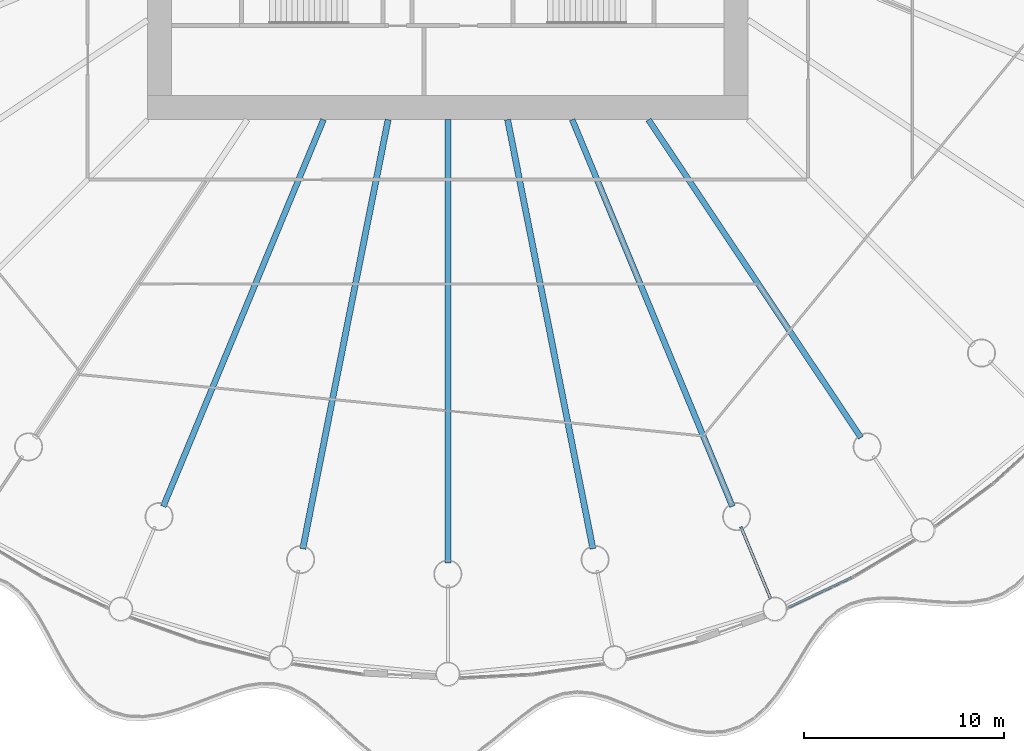
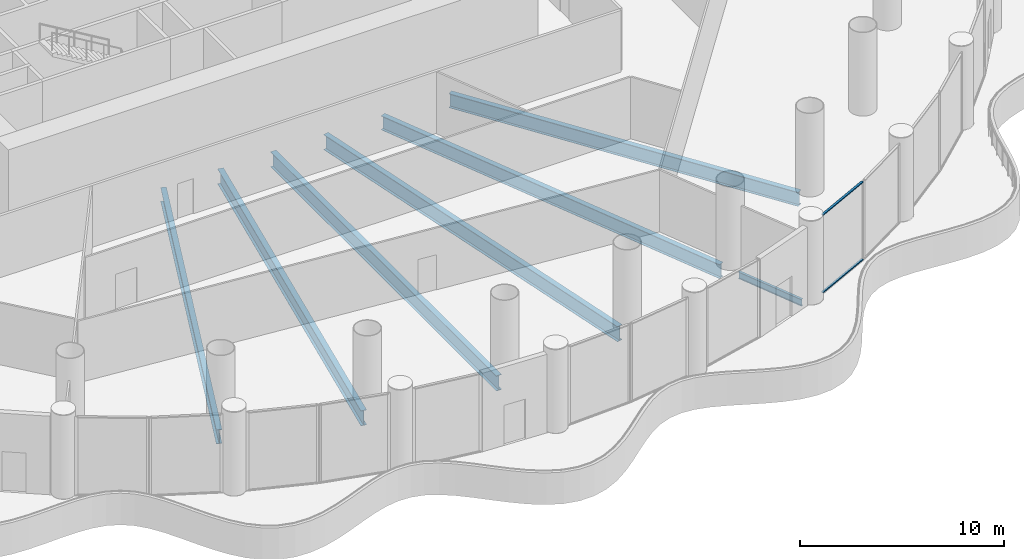
# One storey, part 6 of 38: 7 beams, 2 members, 1 element without a shape of its own.
"""IFC4 building model written with IfcOpenShell, lengths in metres."""

from ifc_helpers import new_model, si_unit, direction, frame, origin, origin_2d, place, context, subcontext, project, spatial, rectangle, i_section, extrude, material, material_profile, profile_set, type_object, element, aggregate, save


model = new_model("IFC4")

# Units and contexts
model_context = context("Model", 3, precision=1e-05, world=origin(), true_north=direction((0.0, 1.0)))
body_context = subcontext(model_context, "Body", "Model", "MODEL_VIEW")
ifc_project = project(units=[si_unit("LENGTHUNIT", "METRE"), si_unit("AREAUNIT", "SQUARE_METRE"), si_unit("VOLUMEUNIT", "CUBIC_METRE"), si_unit("PLANEANGLEUNIT", "RADIAN"), si_unit("MASSUNIT", "GRAM", prefix="KILO")], contexts=[model_context])

# Site, building, storey
site_placement = place(None, origin())
site = spatial("IfcSite", under=ifc_project, at=site_placement, CompositionType="ELEMENT")
building_placement = place(site_placement, origin())
building = spatial("IfcBuilding", under=site, at=building_placement, Name="Corvane Civic Tower", CompositionType="ELEMENT")
storey_placement = place(building_placement, frame((0.0, 0.0, 32.0)))
storey = spatial("IfcBuildingStorey", under=building, at=storey_placement, Name="L06", CompositionType="ELEMENT", Elevation=32.0)

# Beams
ifc_material_1 = material(Name="Steel ASTM A992 Gr 50", Category="steel")
ifc_material_profile_1 = material_profile(ifc_material_1, i_section(OverallWidth=0.140380859375, OverallDepth=0.40380859375, WebThickness=0.007080078125, FlangeThickness=0.01123046875, at=origin_2d()), Name="W16X31")
ifc_profile_set_1 = profile_set([ifc_material_profile_1], Name="Steel ASTM A992 Gr 50")
beam_type_1 = type_object("IfcBeamType", Name="FLOOR GIRDER W16X31", PredefinedType="BEAM", material=ifc_profile_set_1)
beam_1_placement = place(storey_placement, frame((14.6376953125, -35.33837890625, -0.501953125), z_axis=(0.382685369162, -0.923878730261, 0.0), x_axis=(0.923878730261, 0.382685369162, 0.0)))
element("IfcBeam", 1, at=beam_1_placement, inside=storey, type_object=beam_type_1, Name="BM-L06-G15b", PredefinedType="BEAM", context=body_context, shape_type="SweptSolid", body=[
    extrude(i_section(OverallWidth=0.140380859375, OverallDepth=0.40380859375, WebThickness=0.007080078125, FlangeThickness=0.01123046875, at=origin_2d()), origin(), (0.0, 0.0, 1.0), 3.89990234375),
])
ifc_material_2 = material(Name="Steel ASTM A992 Gr 50", Category="steel")
ifc_material_profile_2 = material_profile(ifc_material_2, i_section(OverallWidth=0.2919921875, OverallDepth=0.845703125, WebThickness=0.015380859375, FlangeThickness=0.0244140625, at=origin_2d()), Name="W33X141")
ifc_profile_set_2 = profile_set([ifc_material_profile_2], Name="Steel ASTM A992 Gr 50")
beam_type_2 = type_object("IfcBeamType", Name="FLOOR GIRDER W33X141", PredefinedType="BEAM", material=ifc_profile_set_2)
beam_2_placement = place(storey_placement, frame((10.022705078125, -15.0, -0.722900390625), z_axis=(0.555566681385, -0.831471985418, 0.0), x_axis=(0.831471985418, 0.555566681385, 0.0)))
element("IfcBeam", 2, at=beam_2_placement, inside=storey, type_object=beam_type_2, Name="BM-L06-G14", PredefinedType="BEAM", context=body_context, shape_type="SweptSolid", body=[
    extrude(i_section(OverallWidth=0.2919921875, OverallDepth=0.845703125, WebThickness=0.015380859375, FlangeThickness=0.0244140625, at=origin_2d()), origin(), (0.0, 0.0, 1.0), 19.109619140625),
])
for number, where, z_axis, x_axis, name in (
    (3, (6.213134765625, -15.0, -0.722900390625), (0.382692360381, -0.923875834355, 0.0), (0.923875834355, 0.382692360381, 0.0), "BM-L06-G15"),
    (4, (-6.213134765625, -15.0, -0.722900390625), (-0.382692360381, -0.923875834355, 0.0), (0.923875834355, -0.382692360381, 0.0), "BM-L06-G19"),
):
    element("IfcBeam", number, at=place(storey_placement, frame(where, z_axis=z_axis, x_axis=x_axis)), inside=storey, type_object=beam_type_2, Name=name, PredefinedType="BEAM", context=body_context, shape_type="SweptSolid", body=[
        extrude(i_section(OverallWidth=0.2919921875, OverallDepth=0.845703125, WebThickness=0.015380859375, FlangeThickness=0.0244140625, at=origin_2d()), origin(), (0.0, 0.0, 1.0), 20.9140625),
    ])
ifc_material_3 = material(Name="Steel ASTM A992 Gr 50", Category="steel")
ifc_material_profile_3 = material_profile(ifc_material_3, i_section(OverallWidth=0.3046875, OverallDepth=0.911865234375, WebThickness=0.015869140625, FlangeThickness=0.02392578125, at=origin_2d()), Name="W36X150")
ifc_profile_set_3 = profile_set([ifc_material_profile_3], Name="Steel ASTM A992 Gr 50")
beam_type_3 = type_object("IfcBeamType", Name="FLOOR GIRDER W36X150", PredefinedType="BEAM", material=ifc_profile_set_3)
beam_3_placement = place(storey_placement, frame((2.983642578125, -15.0, -0.755859375), z_axis=(0.195089219638, -0.980785499679, 0.0), x_axis=(0.980785499679, 0.195089219638, 0.0)))
element("IfcBeam", 5, at=beam_3_placement, inside=storey, type_object=beam_type_3, Name="BM-L06-G16", PredefinedType="BEAM", context=body_context, shape_type="SweptSolid", body=[
    extrude(i_section(OverallWidth=0.3046875, OverallDepth=0.911865234375, WebThickness=0.015869140625, FlangeThickness=0.02392578125, at=origin_2d()), origin(), (0.0, 0.0, 1.0), 21.856201171875),
])
beam_4_placement = place(storey_placement, frame((0.0, -15.0, -0.755859375), z_axis=(0.0, -1.0, 0.0), x_axis=(1.0, 0.0, 0.0)))
element("IfcBeam", 6, at=beam_4_placement, inside=storey, type_object=beam_type_3, Name="BM-L06-G17", PredefinedType="BEAM", context=body_context, shape_type="SweptSolid", body=[
    extrude(i_section(OverallWidth=0.3046875, OverallDepth=0.911865234375, WebThickness=0.015869140625, FlangeThickness=0.02392578125, at=origin_2d()), origin(), (0.0, 0.0, 1.0), 22.14990234375),
])
beam_5_placement = place(storey_placement, frame((-2.983642578125, -15.0, -0.755859375), z_axis=(-0.195089219638, -0.980785499679, 0.0), x_axis=(0.980785499679, -0.195089219638, 0.0)))
element("IfcBeam", 7, at=beam_5_placement, inside=storey, type_object=beam_type_3, Name="BM-L06-G18", PredefinedType="BEAM", context=body_context, shape_type="SweptSolid", body=[
    extrude(i_section(OverallWidth=0.3046875, OverallDepth=0.911865234375, WebThickness=0.015869140625, FlangeThickness=0.02392578125, at=origin_2d()), origin(), (0.0, 0.0, 1.0), 21.856201171875),
])

# Curtain wall, members
ifc_material_4 = material(Name="Aluminium and glass", Category="aluminium")
curtain_wall_type = type_object("IfcCurtainWallType", Name="PODIUM-CW-P-RUN", PredefinedType="NOTDEFINED", material=ifc_material_4)
curtain_wall_placement = place(storey_placement, origin())
curtain_wall = element("IfcCurtainWall", 8, at=curtain_wall_placement, inside=storey, type_object=curtain_wall_type, Name="PODI run L06-drum-14B", PredefinedType="NOTDEFINED")
ifc_material_5 = material(Name="Anodised aluminium bronze", Category="aluminium")
ifc_material_profile_4 = material_profile(ifc_material_5, rectangle(XDim=0.1201171875, YDim=0.06005859375, at=origin_2d()), Name="AL 120x60")
ifc_profile_set_4 = profile_set([ifc_material_profile_4], Name="Anodised aluminium bronze")
member_type = type_object("IfcMemberType", Name="PODIUM-CWP-TRANSOM-60x120", PredefinedType="USERDEFINED", material=ifc_profile_set_4)
member_1_placement = place(storey_placement, frame((20.1591796875, -37.87548828125, 0.030029296875), z_axis=(-0.903993431638, -0.427546343166, 0.0), x_axis=(0.427546343166, -0.903993431638, 0.0)))
member_1 = element("IfcMember", 9, at=member_1_placement, type_object=member_type, Name="CW-P transom 1.1", ObjectType="TRANSOM", PredefinedType="USERDEFINED", context=body_context, shape_type="SweptSolid", body=[
    extrude(rectangle(XDim=0.1201171875, YDim=0.06005859375, at=origin_2d()), origin(), (0.0, 0.0, 1.0), 3.4599609375),
])
member_2_placement = place(storey_placement, frame((20.1591796875, -37.87548828125, 4.669921875), z_axis=(-0.903993431638, -0.427546343166, 0.0), x_axis=(0.427546343166, -0.903993431638, 0.0)))
member_2 = element("IfcMember", 10, at=member_2_placement, type_object=member_type, Name="CW-P transom 1.2", ObjectType="TRANSOM", PredefinedType="USERDEFINED", context=body_context, shape_type="SweptSolid", body=[
    extrude(rectangle(XDim=0.1201171875, YDim=0.06005859375, at=origin_2d()), origin(), (0.0, 0.0, 1.0), 3.4599609375),
])
aggregate(curtain_wall, [member_1, member_2])

save(model, "model.ifc")
